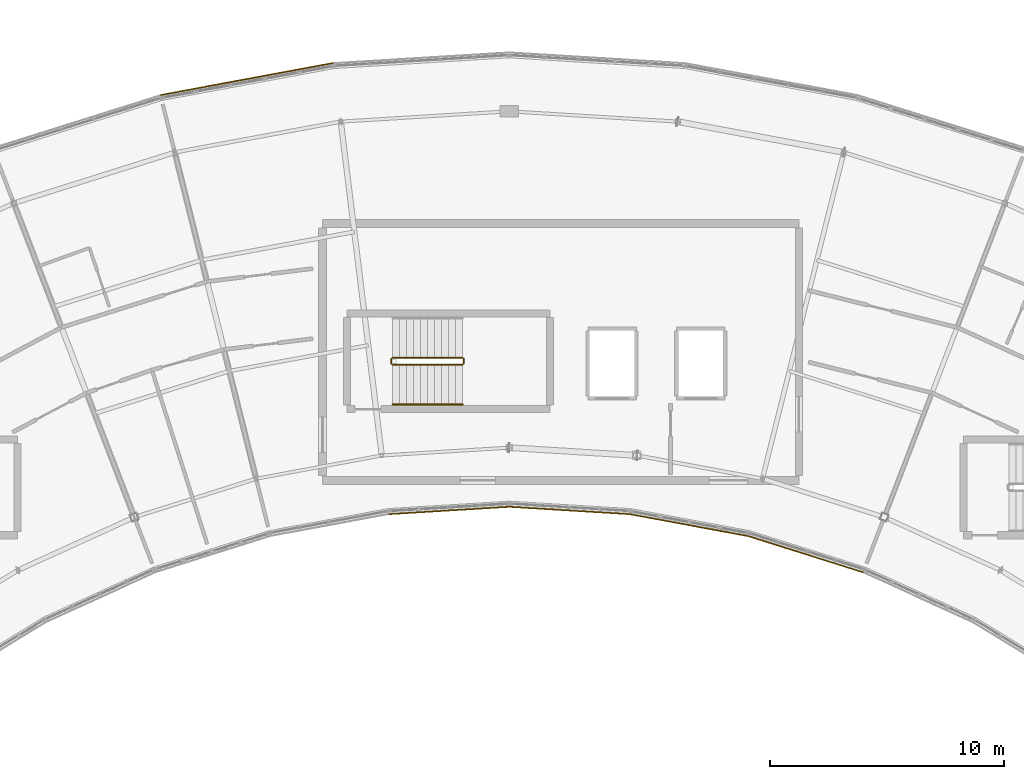
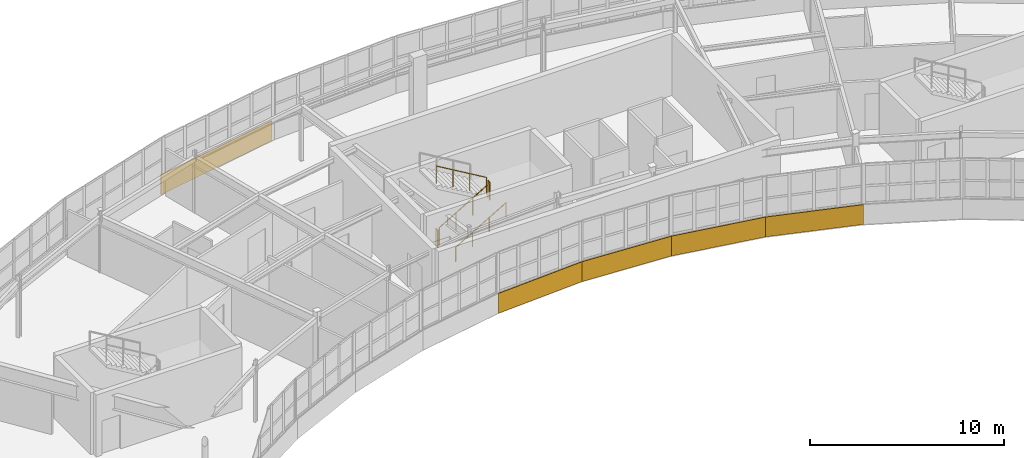
# One storey, part 77 of 79: 5 coverings, 5 railings.
"""IFC4 building model written with IfcOpenShell, lengths in metres."""

from ifc_helpers import new_model, si_unit, direction, frame, origin, origin_2d, place, context, subcontext, project, spatial, rectangle, circle, extrude, material, layer, layer_set, type_object, element, save


model = new_model("IFC4")

# Units and contexts
model_context = context("Model", 3, precision=1e-05, world=origin(), true_north=direction((0.0, 1.0)))
body_context = subcontext(model_context, "Body", "Model", "MODEL_VIEW")
ifc_project = project(units=[si_unit("LENGTHUNIT", "METRE"), si_unit("AREAUNIT", "SQUARE_METRE"), si_unit("VOLUMEUNIT", "CUBIC_METRE"), si_unit("PLANEANGLEUNIT", "RADIAN"), si_unit("MASSUNIT", "GRAM", prefix="KILO")], contexts=[model_context])

# Site, building, storey
site_placement = place(None, origin())
site = spatial("IfcSite", under=ifc_project, at=site_placement, CompositionType="ELEMENT")
building_placement = place(site_placement, origin())
building = spatial("IfcBuilding", under=site, at=building_placement, Name="Tarnwether General Hospital", CompositionType="ELEMENT")
storey_placement = place(building_placement, frame((0.0, 0.0, 18.300048828125)))
storey = spatial("IfcBuildingStorey", under=building, at=storey_placement, Name="L04", CompositionType="ELEMENT", Elevation=18.300048828125)

# Coverings
ifc_material_1 = material(Name="Streamlined white enamelled aluminium", Category="aluminium")
ifc_layer = layer(ifc_material_1, 0.044921875)
ifc_layer_set = layer_set([ifc_layer], Name="Streamlined white enamelled aluminium")
covering_type = type_object("IfcCoveringType", Name="CV-CLD-WHT", PredefinedType="CLADDING", material=ifc_layer_set)
for number, where, z_axis, x_axis, name in (
    (1, (89.425048828125, 105.110107421875, -0.175048828125), (0.0, 0.0, 1.0), (-0.998134798422, -0.061048539535, 0.0), "Streamlined White Horizontal Band NW L04 10"),
    (2, (94.574951171875, 105.110107421875, -0.175048828125), (0.0, 0.0, 1.0), (-0.998134798422, 0.061048539535, 0.0), "Streamlined White Horizontal Band NW L04 11"),
    (3, (99.68798828125, 104.48291015625, -0.175048828125), (0.0, 0.0, 1.0), (-0.983267627608, 0.182166880906, 0.0), "Streamlined White Horizontal Band NW L04 12"),
):
    element("IfcCovering", number, at=place(storey_placement, frame(where, z_axis=z_axis, x_axis=x_axis)), inside=storey, type_object=covering_type, Name=name, PredefinedType="CLADDING", context=body_context, shape_type="SweptSolid", body=[
        extrude(rectangle(XDim=5.177001953125, YDim=0.044921875, at=origin_2d()), origin(), (0.0, 0.0, 1.0), 1.25),
    ])
covering_1_placement = place(storey_placement, frame((104.68603515625, 103.237060546875, -0.175048828125), z_axis=(0.0, 0.0, 1.0), x_axis=(-0.953711702297, 0.300722444959, 0.0)))
element("IfcCovering", 4, at=covering_1_placement, inside=storey, type_object=covering_type, Name="Streamlined White Horizontal Band NW L04 13", PredefinedType="CLADDING", context=body_context, shape_type="SweptSolid", body=[
    extrude(rectangle(XDim=5.177978515625, YDim=0.044921875, at=origin_2d()), origin(), (0.0, 0.0, 1.0), 1.25),
])
covering_2_placement = place(storey_placement, frame((80.77099609375, 123.5849609375, -0.175048828125), z_axis=(0.0, 0.0, 1.0), x_axis=(0.983245364386, 0.182287008349, 0.0)))
element("IfcCovering", 5, at=covering_2_placement, inside=storey, type_object=covering_type, Name="Streamlined White Horizontal Band NW L04 28", PredefinedType="CLADDING", context=body_context, shape_type="SweptSolid", body=[
    extrude(rectangle(XDim=7.52099609375, YDim=0.044921875, at=origin_2d()), origin(), (0.0, 0.0, 1.0), 1.25),
])

# Railings
ifc_material_2 = material(Name="Anodised aluminium", Category="aluminium")
railing_type_1 = type_object("IfcRailingType", Name="RL-GRD-INT", PredefinedType="GUARDRAIL", material=ifc_material_2)
railing_1_placement = place(storey_placement, frame((87.0, 111.35009765625, 0.17724609375)))
element("IfcRailing", 6, at=railing_1_placement, inside=storey, type_object=railing_type_1, Name="L04 ST-01 stair guard 1", PredefinedType="GUARDRAIL", context=body_context, shape_type="SweptSolid", body=[
    extrude(circle(Radius=0.02392578125, at=origin_2d()), frame((0.0, 0.0, 1.076171875), z_axis=(0.86092931783, 0.0, 0.508724591208), x_axis=(0.0, 1.0, 0.0)), (0.0, 0.0, 1.0), 3.484619140625),
    extrude(circle(Radius=0.02099609375, at=origin_2d()), origin(), (0.0, 0.0, 1.0), 1.052001953125),
    extrude(circle(Radius=0.02099609375, at=origin_2d()), frame((1.0, 0.0, 0.5908203125)), (0.0, 0.0, 1.0), 1.052001953125),
    extrude(circle(Radius=0.02099609375, at=origin_2d()), frame((2.0, 0.0, 1.181884765625)), (0.0, 0.0, 1.0), 1.052001953125),
    extrude(circle(Radius=0.02099609375, at=origin_2d()), frame((3.0, 0.0, 1.772705078125)), (0.0, 0.0, 1.0), 1.052001953125),
])
railing_2_placement = place(storey_placement, frame((90.050048828125, 111.39990234375, 1.949951171875)))
element("IfcRailing", 7, at=railing_2_placement, inside=storey, type_object=railing_type_1, Name="L04 ST-01 stair guard 2", PredefinedType="GUARDRAIL", context=body_context, shape_type="SweptSolid", body=[
    extrude(circle(Radius=0.02392578125, at=origin_2d()), frame((0.0, 0.0, 1.076171875), z_axis=(0.0, 1.0, 0.0), x_axis=(-1.0, 0.0, 0.0)), (0.0, 0.0, 1.0), 0.2001953125),
    extrude(circle(Radius=0.02099609375, at=origin_2d()), origin(), (0.0, 0.0, 1.0), 1.052001953125),
    extrude(circle(Radius=0.02099609375, at=origin_2d()), frame((0.0, 0.2001953125, 0.0)), (0.0, 0.0, 1.0), 1.052001953125),
])
railing_3_placement = place(storey_placement, frame((90.0, 111.64990234375, 2.127197265625)))
element("IfcRailing", 8, at=railing_3_placement, inside=storey, type_object=railing_type_1, Name="L04 ST-01 stair guard 3", PredefinedType="GUARDRAIL", context=body_context, shape_type="SweptSolid", body=[
    extrude(circle(Radius=0.02392578125, at=origin_2d()), frame((0.0, 0.0, 1.076171875), z_axis=(-0.86092931783, 0.0, 0.508724591208), x_axis=(0.0, -1.0, 0.0)), (0.0, 0.0, 1.0), 3.484619140625),
    extrude(circle(Radius=0.02099609375, at=origin_2d()), origin(), (0.0, 0.0, 1.0), 1.052001953125),
    extrude(circle(Radius=0.02099609375, at=origin_2d()), frame((-1.0, 0.0, 0.5908203125)), (0.0, 0.0, 1.0), 1.052001953125),
    extrude(circle(Radius=0.02099609375, at=origin_2d()), frame((-2.0, 0.0, 1.181884765625)), (0.0, 0.0, 1.0), 1.052001953125),
    extrude(circle(Radius=0.02099609375, at=origin_2d()), frame((-3.0, 0.0, 1.772705078125)), (0.0, 0.0, 1.0), 1.052001953125),
])
railing_4_placement = place(storey_placement, frame((86.949951171875, 111.39990234375, 0.0)))
element("IfcRailing", 9, at=railing_4_placement, inside=storey, type_object=railing_type_1, Name="L04 ST-01 stair guard 4", PredefinedType="GUARDRAIL", context=body_context, shape_type="SweptSolid", body=[
    extrude(circle(Radius=0.02392578125, at=origin_2d()), frame((0.0, 0.0, 1.076171875), z_axis=(0.0, 1.0, 0.0), x_axis=(-1.0, 0.0, 0.0)), (0.0, 0.0, 1.0), 0.2001953125),
    extrude(circle(Radius=0.02099609375, at=origin_2d()), origin(), (0.0, 0.0, 1.0), 1.052001953125),
    extrude(circle(Radius=0.02099609375, at=origin_2d()), frame((0.0, 0.2001953125, 0.0)), (0.0, 0.0, 1.0), 1.052001953125),
])
ifc_material_3 = material(Name="Anodised aluminium", Category="aluminium")
railing_type_2 = type_object("IfcRailingType", Name="RL-HND-INT", PredefinedType="HANDRAIL", material=ifc_material_3)
railing_5_placement = place(storey_placement, frame((87.0, 109.64990234375, 0.17724609375)))
element("IfcRailing", 10, at=railing_5_placement, inside=storey, type_object=railing_type_2, Name="L04 ST-01 stair handrail 1", PredefinedType="HANDRAIL", context=body_context, shape_type="SweptSolid", body=[
    extrude(circle(Radius=0.02392578125, at=origin_2d()), frame((0.0, 0.0, 0.8759765625), z_axis=(0.86092931783, 0.0, 0.508724591208), x_axis=(0.0, 1.0, 0.0)), (0.0, 0.0, 1.0), 3.484619140625),
    extrude(circle(Radius=0.02099609375, at=origin_2d()), origin(), (0.0, 0.0, 1.0), 0.851806640625),
    extrude(circle(Radius=0.02099609375, at=origin_2d()), frame((1.0, 0.0, 0.5908203125)), (0.0, 0.0, 1.0), 0.851806640625),
    extrude(circle(Radius=0.02099609375, at=origin_2d()), frame((2.0, 0.0, 1.181884765625)), (0.0, 0.0, 1.0), 0.851806640625),
    extrude(circle(Radius=0.02099609375, at=origin_2d()), frame((3.0, 0.0, 1.772705078125)), (0.0, 0.0, 1.0), 0.851806640625),
])

save(model, "model.ifc")
